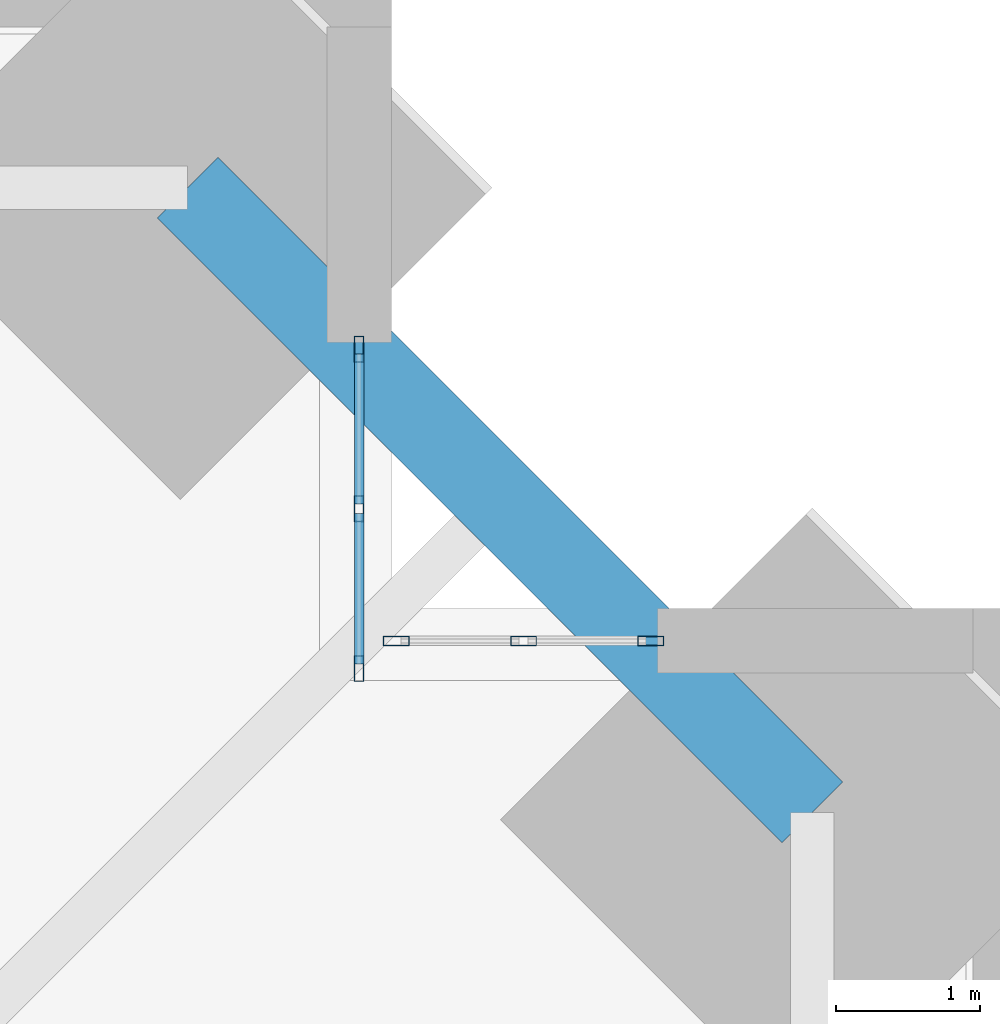
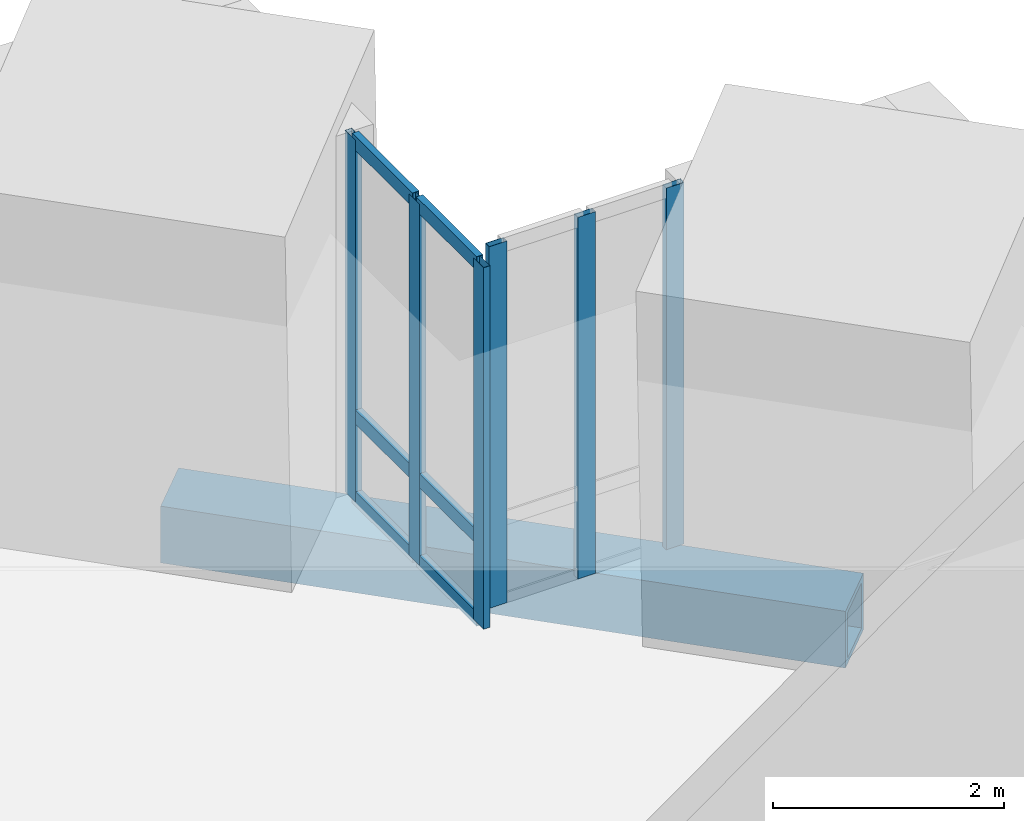
# One storey, part 8 of 15: 12 members, 1 beam, 2 elements without a shape of their own.
"""IFC4 building model written with IfcOpenShell, lengths in metres."""

from ifc_helpers import new_model, si_unit, direction, frame, origin, origin_2d, place, context, subcontext, project, spatial, hollow_rectangle, extrude, material, material_profile, profile_set, type_object, element, aggregate, save


model = new_model("IFC4")

# Units and contexts
model_context = context("Model", 3, precision=1e-05, world=origin(), true_north=direction((0.0, 1.0)))
body_context = subcontext(model_context, "Body", "Model", "MODEL_VIEW")
ifc_project = project(units=[si_unit("LENGTHUNIT", "METRE"), si_unit("AREAUNIT", "SQUARE_METRE"), si_unit("VOLUMEUNIT", "CUBIC_METRE"), si_unit("PLANEANGLEUNIT", "RADIAN"), si_unit("MASSUNIT", "GRAM", prefix="KILO")], contexts=[model_context])

# Site, building, storey
site_placement = place(None, origin())
site = spatial("IfcSite", under=ifc_project, at=site_placement, CompositionType="ELEMENT")
building_placement = place(site_placement, origin())
building = spatial("IfcBuilding", under=site, at=building_placement, Name="Peilmerk Tower", CompositionType="ELEMENT")
storey_placement = place(building_placement, frame((0.0, 0.0, 229.800048828125)))
storey = spatial("IfcBuildingStorey", under=building, at=storey_placement, Name="L50", CompositionType="ELEMENT", Elevation=229.800048828125)

# Beam
ifc_material_1 = material(Name="Steel S460", Category="steel")
ifc_material_profile_1 = material_profile(ifc_material_1, hollow_rectangle(XDim=0.60009765625, YDim=0.60009765625, WallThickness=0.06005859375, at=origin_2d()), Name="BOX 600x600x60")
ifc_profile_set_1 = profile_set([ifc_material_profile_1], Name="Steel S460")
beam_type = type_object("IfcBeamType", Name="B20 BOX 600x600x60 notch beam", PredefinedType="SPANDREL", material=ifc_profile_set_1)
beam_placement = place(storey_placement, frame((17.28076171875, 21.630615234375, -0.469970703125), z_axis=(0.707106781187, -0.707106781187, 0.0), x_axis=(0.707106781187, 0.707106781187, 0.0)))
element("IfcBeam", 1, at=beam_placement, inside=storey, type_object=beam_type, Name="Notch beam L50", PredefinedType="SPANDREL", context=body_context, shape_type="SweptSolid", body=[
    extrude(hollow_rectangle(XDim=0.60009765625, YDim=0.60009765625, WallThickness=0.06005859375, at=origin_2d()), origin(), (0.0, 0.0, 1.0), 6.151611328125),
])

# Curtain wall, members
ifc_material_2 = material(Name="Aluminium stick curtain wall", Category="aluminium")
curtain_wall_type = type_object("IfcCurtainWallType", Name="CW4 stick curtain wall, 2250 module", PredefinedType="NOTDEFINED", material=ifc_material_2)
curtain_wall_1_placement = place(storey_placement, origin())
curtain_wall_1 = element("IfcCurtainWall", 2, at=curtain_wall_1_placement, inside=storey, type_object=curtain_wall_type, Name="Curtain wall CW4 NEA L50", PredefinedType="NOTDEFINED")
ifc_material_3 = material(Name="Aluminium EN AW-6063 T6", Category="aluminium")
ifc_material_profile_2 = material_profile(ifc_material_3, hollow_rectangle(XDim=0.06494140625, YDim=0.179931640625, WallThickness=0.0029296875, at=origin_2d()), Name="AL 180x65x3")
ifc_profile_set_2 = profile_set([ifc_material_profile_2], Name="Aluminium EN AW-6063 T6")
member_type_1 = type_object("IfcMemberType", Name="CW4-M AL 180x65x3 mullion", PredefinedType="MULLION", material=ifc_profile_set_2)
member_1_placement = place(storey_placement, frame((18.47509765625, 18.282470703125, 0.0), z_axis=(0.0, 0.0, 1.0), x_axis=(-1.0, 0.0, 0.0)))
member_1 = element("IfcMember", 3, at=member_1_placement, type_object=member_type_1, Name="CW4 mullion 1", PredefinedType="MULLION", context=body_context, shape_type="SweptSolid", body=[
    extrude(hollow_rectangle(XDim=0.06494140625, YDim=0.179931640625, WallThickness=0.0029296875, at=origin_2d()), origin(), (0.0, 0.0, 1.0), 3.829833984375),
])
member_2_placement = place(storey_placement, frame((18.47509765625, 19.394287109375, 0.0), z_axis=(0.0, 0.0, 1.0), x_axis=(-1.0, 0.0, 0.0)))
member_2 = element("IfcMember", 4, at=member_2_placement, type_object=member_type_1, Name="CW4 mullion 2", PredefinedType="MULLION", context=body_context, shape_type="SweptSolid", body=[
    extrude(hollow_rectangle(XDim=0.06494140625, YDim=0.179931640625, WallThickness=0.0029296875, at=origin_2d()), origin(), (0.0, 0.0, 1.0), 3.829833984375),
])
member_3_placement = place(storey_placement, frame((18.47509765625, 20.506103515625, 0.0), z_axis=(0.0, 0.0, 1.0), x_axis=(-1.0, 0.0, 0.0)))
member_3 = element("IfcMember", 5, at=member_3_placement, type_object=member_type_1, Name="CW4 mullion 3", PredefinedType="MULLION", context=body_context, shape_type="SweptSolid", body=[
    extrude(hollow_rectangle(XDim=0.06494140625, YDim=0.179931640625, WallThickness=0.0029296875, at=origin_2d()), origin(), (0.0, 0.0, 1.0), 3.829833984375),
])

curtain_wall_2_placement = place(storey_placement, origin())
curtain_wall_2 = element("IfcCurtainWall", 6, at=curtain_wall_2_placement, inside=storey, type_object=curtain_wall_type, Name="Curtain wall CW4 NEB L50", PredefinedType="NOTDEFINED")
member_4_placement = place(storey_placement, frame((18.732421875, 18.47509765625, 0.0), z_axis=(0.0, 0.0, 1.0), x_axis=(0.0, 1.0, 0.0)))
member_4 = element("IfcMember", 7, at=member_4_placement, type_object=member_type_1, Name="CW4 mullion 1", PredefinedType="MULLION", context=body_context, shape_type="SweptSolid", body=[
    extrude(hollow_rectangle(XDim=0.06494140625, YDim=0.179931640625, WallThickness=0.0029296875, at=origin_2d()), origin(), (0.0, 0.0, 1.0), 3.829833984375),
])
member_5_placement = place(storey_placement, frame((19.619384765625, 18.47509765625, 0.0), z_axis=(0.0, 0.0, 1.0), x_axis=(0.0, 1.0, 0.0)))
member_5 = element("IfcMember", 8, at=member_5_placement, type_object=member_type_1, Name="CW4 mullion 2", PredefinedType="MULLION", context=body_context, shape_type="SweptSolid", body=[
    extrude(hollow_rectangle(XDim=0.06494140625, YDim=0.179931640625, WallThickness=0.0029296875, at=origin_2d()), origin(), (0.0, 0.0, 1.0), 3.829833984375),
])
member_6_placement = place(storey_placement, frame((20.506103515625, 18.47509765625, 0.0), z_axis=(0.0, 0.0, 1.0), x_axis=(0.0, 1.0, 0.0)))
member_6 = element("IfcMember", 9, at=member_6_placement, type_object=member_type_1, Name="CW4 mullion 3", PredefinedType="MULLION", context=body_context, shape_type="SweptSolid", body=[
    extrude(hollow_rectangle(XDim=0.06494140625, YDim=0.179931640625, WallThickness=0.0029296875, at=origin_2d()), origin(), (0.0, 0.0, 1.0), 3.829833984375),
])
aggregate(curtain_wall_2, [member_4, member_5, member_6])

# Member
ifc_material_profile_3 = material_profile(ifc_material_3, hollow_rectangle(XDim=0.06494140625, YDim=0.14990234375, WallThickness=0.0029296875, at=origin_2d()), Name="AL 150x65x3")
ifc_profile_set_3 = profile_set([ifc_material_profile_3], Name="Aluminium EN AW-6063 T6")
member_type_2 = type_object("IfcMemberType", Name="CW4-T AL 150x65x3 transom", PredefinedType="USERDEFINED", material=ifc_profile_set_3)
member_7_placement = place(storey_placement, frame((18.47509765625, 18.31494140625, 0.032470703125), z_axis=(0.0, 1.0, 0.0), x_axis=(-1.0, 0.0, 0.0)))
member_7 = element("IfcMember", 10, at=member_7_placement, type_object=member_type_2, Name="CW4 transom 1.1", ObjectType="TRANSOM", PredefinedType="USERDEFINED", context=body_context, shape_type="SweptSolid", body=[
    extrude(hollow_rectangle(XDim=0.06494140625, YDim=0.14990234375, WallThickness=0.0029296875, at=origin_2d()), origin(), (0.0, 0.0, 1.0), 1.046875),
])

member_8_placement = place(storey_placement, frame((18.47509765625, 18.31494140625, 0.89990234375), z_axis=(0.0, 1.0, 0.0), x_axis=(-1.0, 0.0, 0.0)))
member_8 = element("IfcMember", 11, at=member_8_placement, type_object=member_type_2, Name="CW4 transom 1.2", ObjectType="TRANSOM", PredefinedType="USERDEFINED", context=body_context, shape_type="SweptSolid", body=[
    extrude(hollow_rectangle(XDim=0.06494140625, YDim=0.14990234375, WallThickness=0.0029296875, at=origin_2d()), origin(), (0.0, 0.0, 1.0), 1.046875),
])

member_9_placement = place(storey_placement, frame((18.47509765625, 18.31494140625, 3.79736328125), z_axis=(0.0, 1.0, 0.0), x_axis=(-1.0, 0.0, 0.0)))
member_9 = element("IfcMember", 12, at=member_9_placement, type_object=member_type_2, Name="CW4 transom 1.3", ObjectType="TRANSOM", PredefinedType="USERDEFINED", context=body_context, shape_type="SweptSolid", body=[
    extrude(hollow_rectangle(XDim=0.06494140625, YDim=0.14990234375, WallThickness=0.0029296875, at=origin_2d()), origin(), (0.0, 0.0, 1.0), 1.046875),
])

member_10_placement = place(storey_placement, frame((18.47509765625, 19.4267578125, 0.032470703125), z_axis=(0.0, 1.0, 0.0), x_axis=(-1.0, 0.0, 0.0)))
member_10 = element("IfcMember", 13, at=member_10_placement, type_object=member_type_2, Name="CW4 transom 2.1", ObjectType="TRANSOM", PredefinedType="USERDEFINED", context=body_context, shape_type="SweptSolid", body=[
    extrude(hollow_rectangle(XDim=0.06494140625, YDim=0.14990234375, WallThickness=0.0029296875, at=origin_2d()), origin(), (0.0, 0.0, 1.0), 1.046875),
])

member_11_placement = place(storey_placement, frame((18.47509765625, 19.4267578125, 0.89990234375), z_axis=(0.0, 1.0, 0.0), x_axis=(-1.0, 0.0, 0.0)))
member_11 = element("IfcMember", 14, at=member_11_placement, type_object=member_type_2, Name="CW4 transom 2.2", ObjectType="TRANSOM", PredefinedType="USERDEFINED", context=body_context, shape_type="SweptSolid", body=[
    extrude(hollow_rectangle(XDim=0.06494140625, YDim=0.14990234375, WallThickness=0.0029296875, at=origin_2d()), origin(), (0.0, 0.0, 1.0), 1.046875),
])

member_12_placement = place(storey_placement, frame((18.47509765625, 19.4267578125, 3.79736328125), z_axis=(0.0, 1.0, 0.0), x_axis=(-1.0, 0.0, 0.0)))
member_12 = element("IfcMember", 15, at=member_12_placement, type_object=member_type_2, Name="CW4 transom 2.3", ObjectType="TRANSOM", PredefinedType="USERDEFINED", context=body_context, shape_type="SweptSolid", body=[
    extrude(hollow_rectangle(XDim=0.06494140625, YDim=0.14990234375, WallThickness=0.0029296875, at=origin_2d()), origin(), (0.0, 0.0, 1.0), 1.046875),
])

aggregate(curtain_wall_1, [member_1, member_2, member_3, member_7, member_8, member_9, member_10, member_11, member_12])

save(model, "model.ifc")
